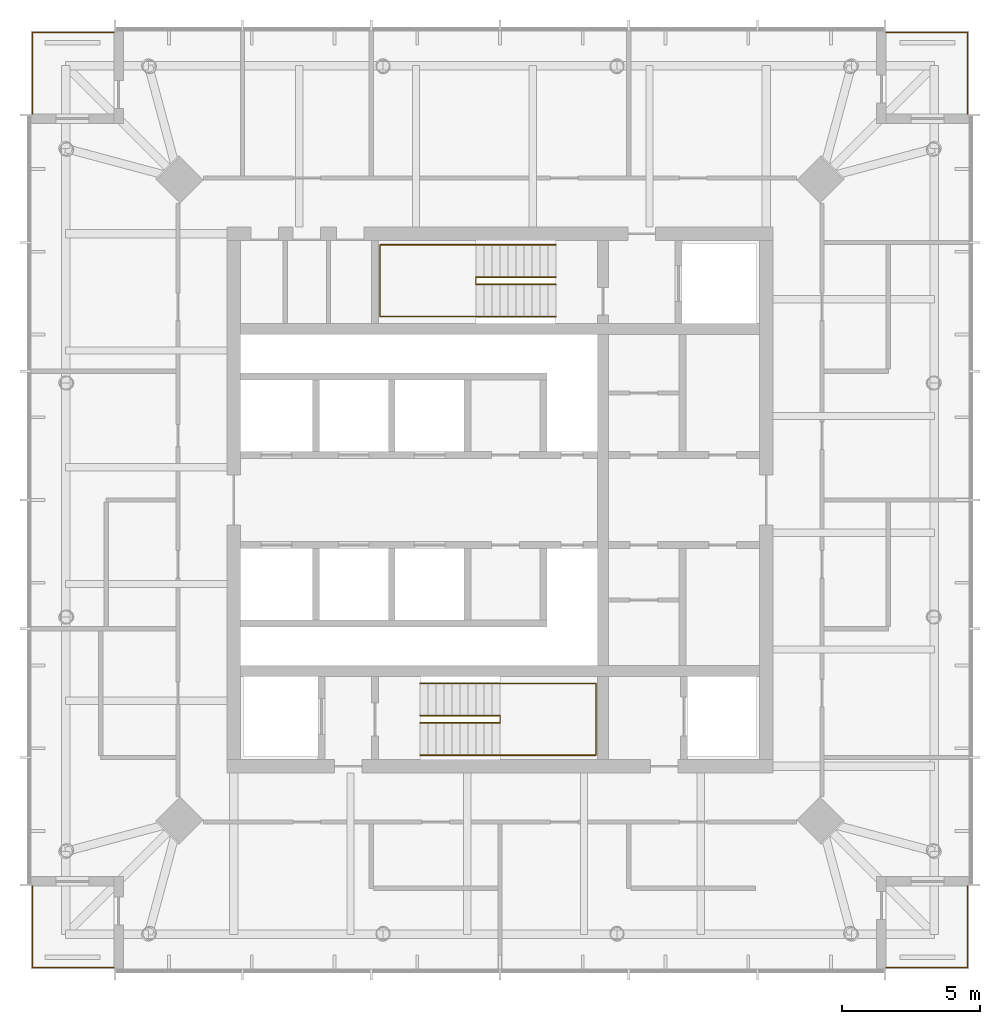
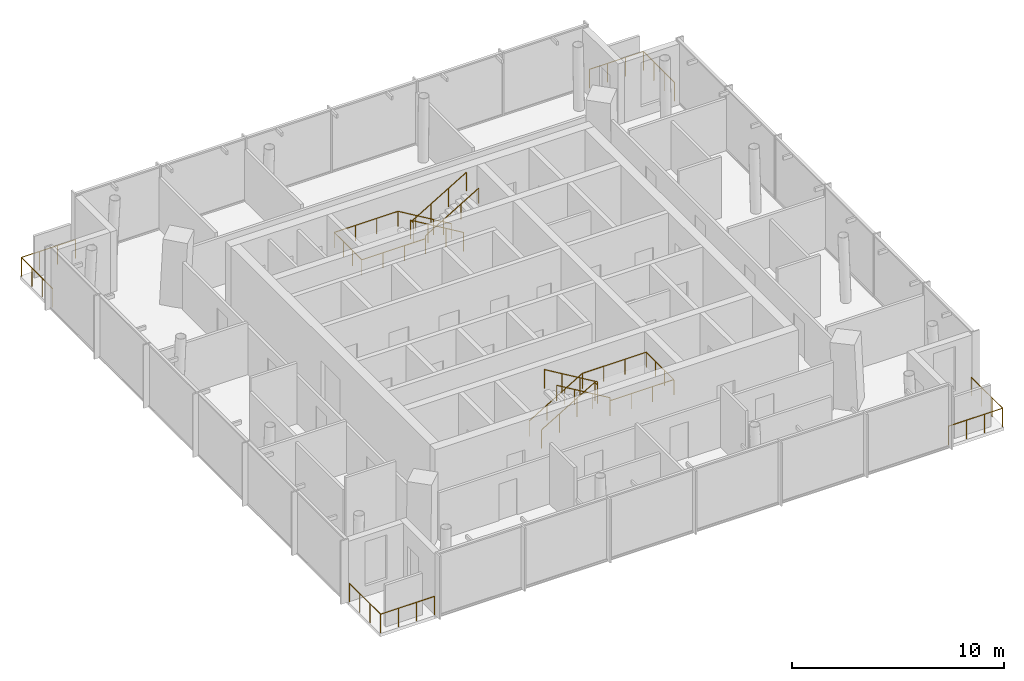
# One storey, part 7 of 7: 8 railings.
"""IFC4 building model written with IfcOpenShell, lengths in metres."""

from ifc_helpers import new_model, si_unit, direction, frame, origin, origin_2d, place, context, subcontext, project, spatial, circle, extrude, material, type_object, element, save


model = new_model("IFC4")

# Units and contexts
model_context = context("Model", 3, precision=1e-05, world=origin(), true_north=direction((0.0, 1.0)))
body_context = subcontext(model_context, "Body", "Model", "MODEL_VIEW")
ifc_project = project(units=[si_unit("LENGTHUNIT", "METRE"), si_unit("AREAUNIT", "SQUARE_METRE"), si_unit("VOLUMEUNIT", "CUBIC_METRE"), si_unit("PLANEANGLEUNIT", "RADIAN"), si_unit("MASSUNIT", "GRAM", prefix="KILO")], contexts=[model_context])

# Site, building, storey
site_placement = place(None, origin())
site = spatial("IfcSite", under=ifc_project, at=site_placement, CompositionType="ELEMENT")
building_placement = place(site_placement, origin())
building = spatial("IfcBuilding", under=site, at=building_placement, Name="Ostroluk Exchange", CompositionType="ELEMENT")
storey_placement = place(building_placement, frame((0.0, 0.0, 279.39990234375)))
storey = spatial("IfcBuildingStorey", under=building, at=storey_placement, Name="L72", CompositionType="ELEMENT", Elevation=279.39990234375)

# Railings
ifc_material_1 = material(Name="Stainless steel", Category="steel")
railing_type_1 = type_object("IfcRailingType", Name="Guard 1100 stainless steel", PredefinedType="GUARDRAIL", material=ifc_material_1)
railing_1_placement = place(storey_placement, frame((59.0, 29.050048828125, 0.0)))
element("IfcRailing", 1, at=railing_1_placement, inside=storey, type_object=railing_type_1, Name="Office tower SE balcony guard L72", PredefinedType="GUARDRAIL", context=body_context, shape_type="SweptSolid", body=[
    extrude(circle(Radius=0.02392578125, at=origin_2d()), frame((0.0, 0.0, 1.076171875), z_axis=(1.0, 0.0, 0.0), x_axis=(0.0, 1.0, 0.0)), (0.0, 0.0, 1.0), 2.949951171875),
    extrude(circle(Radius=0.02392578125, at=origin_2d()), frame((2.949951171875, 0.0, 1.076171875), z_axis=(0.0, 1.0, 0.0), x_axis=(-1.0, 0.0, 0.0)), (0.0, 0.0, 1.0), 2.949951171875),
    extrude(circle(Radius=0.02099609375, at=origin_2d()), origin(), (0.0, 0.0, 1.0), 1.052001953125),
    extrude(circle(Radius=0.02099609375, at=origin_2d()), frame((0.9833984375, 0.0, 0.0)), (0.0, 0.0, 1.0), 1.052001953125),
    extrude(circle(Radius=0.02099609375, at=origin_2d()), frame((1.966552734375, 0.0, 0.0)), (0.0, 0.0, 1.0), 1.052001953125),
    extrude(circle(Radius=0.02099609375, at=origin_2d()), frame((2.949951171875, 0.0, 0.0)), (0.0, 0.0, 1.0), 1.052001953125),
    extrude(circle(Radius=0.02099609375, at=origin_2d()), frame((2.949951171875, 0.9833984375, 0.0)), (0.0, 0.0, 1.0), 1.052001953125),
    extrude(circle(Radius=0.02099609375, at=origin_2d()), frame((2.949951171875, 1.966552734375, 0.0)), (0.0, 0.0, 1.0), 1.052001953125),
    extrude(circle(Radius=0.02099609375, at=origin_2d()), frame((2.949951171875, 2.949951171875, 0.0)), (0.0, 0.0, 1.0), 1.052001953125),
])
railing_2_placement = place(storey_placement, frame((59.0, 62.949951171875, 0.0)))
element("IfcRailing", 2, at=railing_2_placement, inside=storey, type_object=railing_type_1, Name="Office tower NE balcony guard L72", PredefinedType="GUARDRAIL", context=body_context, shape_type="SweptSolid", body=[
    extrude(circle(Radius=0.02392578125, at=origin_2d()), frame((0.0, 0.0, 1.076171875), z_axis=(1.0, 0.0, 0.0), x_axis=(0.0, 1.0, 0.0)), (0.0, 0.0, 1.0), 2.949951171875),
    extrude(circle(Radius=0.02392578125, at=origin_2d()), frame((2.949951171875, 0.0, 1.076171875), z_axis=(0.0, -1.0, 0.0), x_axis=(1.0, 0.0, 0.0)), (0.0, 0.0, 1.0), 2.949951171875),
    extrude(circle(Radius=0.02099609375, at=origin_2d()), origin(), (0.0, 0.0, 1.0), 1.052001953125),
    extrude(circle(Radius=0.02099609375, at=origin_2d()), frame((0.9833984375, 0.0, 0.0)), (0.0, 0.0, 1.0), 1.052001953125),
    extrude(circle(Radius=0.02099609375, at=origin_2d()), frame((1.966552734375, 0.0, 0.0)), (0.0, 0.0, 1.0), 1.052001953125),
    extrude(circle(Radius=0.02099609375, at=origin_2d()), frame((2.949951171875, 0.0, 0.0)), (0.0, 0.0, 1.0), 1.052001953125),
    extrude(circle(Radius=0.02099609375, at=origin_2d()), frame((2.949951171875, -0.9833984375, 0.0)), (0.0, 0.0, 1.0), 1.052001953125),
    extrude(circle(Radius=0.02099609375, at=origin_2d()), frame((2.949951171875, -1.966552734375, 0.0)), (0.0, 0.0, 1.0), 1.052001953125),
    extrude(circle(Radius=0.02099609375, at=origin_2d()), frame((2.949951171875, -2.949951171875, 0.0)), (0.0, 0.0, 1.0), 1.052001953125),
])
railing_3_placement = place(storey_placement, frame((31.0, 62.949951171875, 0.0)))
element("IfcRailing", 3, at=railing_3_placement, inside=storey, type_object=railing_type_1, Name="Office tower NW balcony guard L72", PredefinedType="GUARDRAIL", context=body_context, shape_type="SweptSolid", body=[
    extrude(circle(Radius=0.02392578125, at=origin_2d()), frame((0.0, 0.0, 1.076171875), z_axis=(-1.0, 0.0, 0.0), x_axis=(0.0, -1.0, 0.0)), (0.0, 0.0, 1.0), 2.949951171875),
    extrude(circle(Radius=0.02392578125, at=origin_2d()), frame((-2.949951171875, 0.0, 1.076171875), z_axis=(0.0, -1.0, 0.0), x_axis=(1.0, 0.0, 0.0)), (0.0, 0.0, 1.0), 2.949951171875),
    extrude(circle(Radius=0.02099609375, at=origin_2d()), origin(), (0.0, 0.0, 1.0), 1.052001953125),
    extrude(circle(Radius=0.02099609375, at=origin_2d()), frame((-0.9833984375, 0.0, 0.0)), (0.0, 0.0, 1.0), 1.052001953125),
    extrude(circle(Radius=0.02099609375, at=origin_2d()), frame((-1.966552734375, 0.0, 0.0)), (0.0, 0.0, 1.0), 1.052001953125),
    extrude(circle(Radius=0.02099609375, at=origin_2d()), frame((-2.949951171875, 0.0, 0.0)), (0.0, 0.0, 1.0), 1.052001953125),
    extrude(circle(Radius=0.02099609375, at=origin_2d()), frame((-2.949951171875, -0.9833984375, 0.0)), (0.0, 0.0, 1.0), 1.052001953125),
    extrude(circle(Radius=0.02099609375, at=origin_2d()), frame((-2.949951171875, -1.966552734375, 0.0)), (0.0, 0.0, 1.0), 1.052001953125),
    extrude(circle(Radius=0.02099609375, at=origin_2d()), frame((-2.949951171875, -2.949951171875, 0.0)), (0.0, 0.0, 1.0), 1.052001953125),
])
railing_4_placement = place(storey_placement, frame((31.0, 29.050048828125, 0.0)))
element("IfcRailing", 4, at=railing_4_placement, inside=storey, type_object=railing_type_1, Name="Office tower SW balcony guard L72", PredefinedType="GUARDRAIL", context=body_context, shape_type="SweptSolid", body=[
    extrude(circle(Radius=0.02392578125, at=origin_2d()), frame((0.0, 0.0, 1.076171875), z_axis=(-1.0, 0.0, 0.0), x_axis=(0.0, -1.0, 0.0)), (0.0, 0.0, 1.0), 2.949951171875),
    extrude(circle(Radius=0.02392578125, at=origin_2d()), frame((-2.949951171875, 0.0, 1.076171875), z_axis=(0.0, 1.0, 0.0), x_axis=(-1.0, 0.0, 0.0)), (0.0, 0.0, 1.0), 2.949951171875),
    extrude(circle(Radius=0.02099609375, at=origin_2d()), origin(), (0.0, 0.0, 1.0), 1.052001953125),
    extrude(circle(Radius=0.02099609375, at=origin_2d()), frame((-0.9833984375, 0.0, 0.0)), (0.0, 0.0, 1.0), 1.052001953125),
    extrude(circle(Radius=0.02099609375, at=origin_2d()), frame((-1.966552734375, 0.0, 0.0)), (0.0, 0.0, 1.0), 1.052001953125),
    extrude(circle(Radius=0.02099609375, at=origin_2d()), frame((-2.949951171875, 0.0, 0.0)), (0.0, 0.0, 1.0), 1.052001953125),
    extrude(circle(Radius=0.02099609375, at=origin_2d()), frame((-2.949951171875, 0.9833984375, 0.0)), (0.0, 0.0, 1.0), 1.052001953125),
    extrude(circle(Radius=0.02099609375, at=origin_2d()), frame((-2.949951171875, 1.966552734375, 0.0)), (0.0, 0.0, 1.0), 1.052001953125),
    extrude(circle(Radius=0.02099609375, at=origin_2d()), frame((-2.949951171875, 2.949951171875, 0.0)), (0.0, 0.0, 1.0), 1.052001953125),
])
ifc_material_2 = material(Name="Steel S355", Category="steel")
railing_type_2 = type_object("IfcRailingType", Name="Stair guard 1100", PredefinedType="GUARDRAIL", material=ifc_material_2)
railing_5_placement = place(storey_placement, frame((42.10009765625, 38.179931640625, 0.1728515625)))
element("IfcRailing", 5, at=railing_5_placement, inside=storey, type_object=railing_type_2, Name="Stair T1-S1 guard L72", PredefinedType="GUARDRAIL", context=body_context, shape_type="SweptSolid", body=[
    extrude(circle(Radius=0.02392578125, at=origin_2d()), frame((0.0, 0.0, 1.076171875), z_axis=(0.859141464434, 0.0, 0.511738159696), x_axis=(0.0, 1.0, 0.0)), (0.0, 0.0, 1.0), 3.375244140625),
    extrude(circle(Radius=0.02392578125, at=origin_2d()), frame((2.89990234375, 0.0, 2.80322265625), z_axis=(0.0, -1.0, 0.0), x_axis=(1.0, 0.0, 0.0)), (0.0, 0.0, 1.0), 0.260009765625),
    extrude(circle(Radius=0.02392578125, at=origin_2d()), frame((2.89990234375, -0.260009765625, 2.80322265625), z_axis=(0.0, 0.0, 1.0), x_axis=(1.0, 0.0, 0.0)), (0.0, 0.0, 1.0), 0.172607421875),
    extrude(circle(Radius=0.02392578125, at=origin_2d()), frame((2.89990234375, -0.260009765625, 2.97607421875), z_axis=(-0.859141464434, 0.0, 0.511738159696), x_axis=(0.0, -1.0, 0.0)), (0.0, 0.0, 1.0), 3.375244140625),
    extrude(circle(Radius=0.02099609375, at=origin_2d()), origin(), (0.0, 0.0, 1.0), 1.052001953125),
    extrude(circle(Radius=0.02099609375, at=origin_2d()), frame((0.966552734375, 0.0, 0.57568359375)), (0.0, 0.0, 1.0), 1.052001953125),
    extrude(circle(Radius=0.02099609375, at=origin_2d()), frame((1.933349609375, 0.0, 1.151611328125)), (0.0, 0.0, 1.0), 1.052001953125),
    extrude(circle(Radius=0.02099609375, at=origin_2d()), frame((2.89990234375, 0.0, 1.727294921875)), (0.0, 0.0, 1.0), 1.052001953125),
    extrude(circle(Radius=0.02099609375, at=origin_2d()), frame((2.89990234375, -0.260009765625, 1.727294921875)), (0.0, 0.0, 1.0), 1.052001953125),
    extrude(circle(Radius=0.02099609375, at=origin_2d()), frame((2.89990234375, -0.260009765625, 1.89990234375)), (0.0, 0.0, 1.0), 1.052001953125),
    extrude(circle(Radius=0.02099609375, at=origin_2d()), frame((1.933349609375, -0.260009765625, 2.4755859375)), (0.0, 0.0, 1.0), 1.052001953125),
    extrude(circle(Radius=0.02099609375, at=origin_2d()), frame((0.966552734375, -0.260009765625, 3.051513671875)), (0.0, 0.0, 1.0), 1.052001953125),
    extrude(circle(Radius=0.02099609375, at=origin_2d()), frame((0.0, -0.260009765625, 3.627197265625)), (0.0, 0.0, 1.0), 1.052001953125),
])
railing_6_placement = place(storey_placement, frame((47.030029296875, 54.080078125, 0.1728515625)))
element("IfcRailing", 6, at=railing_6_placement, inside=storey, type_object=railing_type_2, Name="Stair T1-S2 guard L72", PredefinedType="GUARDRAIL", context=body_context, shape_type="SweptSolid", body=[
    extrude(circle(Radius=0.02392578125, at=origin_2d()), frame((0.0, 0.0, 1.076171875), z_axis=(-0.859160404282, 0.0, 0.51170636083), x_axis=(0.0, -1.0, 0.0)), (0.0, 0.0, 1.0), 3.37548828125),
    extrude(circle(Radius=0.02392578125, at=origin_2d()), frame((-2.900146484375, 0.0, 2.80322265625), z_axis=(0.0, -1.0, 0.0), x_axis=(1.0, 0.0, 0.0)), (0.0, 0.0, 1.0), 0.260009765625),
    extrude(circle(Radius=0.02392578125, at=origin_2d()), frame((-2.900146484375, -0.260009765625, 2.80322265625), z_axis=(0.0, 0.0, 1.0), x_axis=(1.0, 0.0, 0.0)), (0.0, 0.0, 1.0), 0.172607421875),
    extrude(circle(Radius=0.02392578125, at=origin_2d()), frame((-2.900146484375, -0.260009765625, 2.97607421875), z_axis=(0.859160404282, 0.0, 0.51170636083), x_axis=(0.0, 1.0, 0.0)), (0.0, 0.0, 1.0), 3.37548828125),
    extrude(circle(Radius=0.02099609375, at=origin_2d()), origin(), (0.0, 0.0, 1.0), 1.052001953125),
    extrude(circle(Radius=0.02099609375, at=origin_2d()), frame((-0.966796875, 0.0, 0.57568359375)), (0.0, 0.0, 1.0), 1.052001953125),
    extrude(circle(Radius=0.02099609375, at=origin_2d()), frame((-1.933349609375, 0.0, 1.151611328125)), (0.0, 0.0, 1.0), 1.052001953125),
    extrude(circle(Radius=0.02099609375, at=origin_2d()), frame((-2.900146484375, 0.0, 1.727294921875)), (0.0, 0.0, 1.0), 1.052001953125),
    extrude(circle(Radius=0.02099609375, at=origin_2d()), frame((-2.900146484375, -0.260009765625, 1.727294921875)), (0.0, 0.0, 1.0), 1.052001953125),
    extrude(circle(Radius=0.02099609375, at=origin_2d()), frame((-2.900146484375, -0.260009765625, 1.89990234375)), (0.0, 0.0, 1.0), 1.052001953125),
    extrude(circle(Radius=0.02099609375, at=origin_2d()), frame((-1.933349609375, -0.260009765625, 2.4755859375)), (0.0, 0.0, 1.0), 1.052001953125),
    extrude(circle(Radius=0.02099609375, at=origin_2d()), frame((-0.966796875, -0.260009765625, 3.051513671875)), (0.0, 0.0, 1.0), 1.052001953125),
    extrude(circle(Radius=0.02099609375, at=origin_2d()), frame((0.0, -0.260009765625, 3.627197265625)), (0.0, 0.0, 1.0), 1.052001953125),
])
ifc_material_3 = material(Name="Stainless steel", Category="steel")
railing_type_3 = type_object("IfcRailingType", Name="Stair handrail 900", PredefinedType="HANDRAIL", material=ifc_material_3)
railing_7_placement = place(storey_placement, frame((42.10009765625, 39.35009765625, 0.1728515625)))
element("IfcRailing", 7, at=railing_7_placement, inside=storey, type_object=railing_type_3, Name="Stair T1-S1 handrail L72", PredefinedType="HANDRAIL", context=body_context, shape_type="SweptSolid", body=[
    extrude(circle(Radius=0.02392578125, at=origin_2d()), frame((0.0, 0.0, 0.8759765625), z_axis=(0.859141464434, 0.0, 0.511738159696), x_axis=(0.0, 1.0, 0.0)), (0.0, 0.0, 1.0), 3.375244140625),
    extrude(circle(Radius=0.02392578125, at=origin_2d()), frame((2.89990234375, 0.0, 2.60302734375), z_axis=(1.0, 0.0, 0.0), x_axis=(0.0, 1.0, 0.0)), (0.0, 0.0, 1.0), 3.47998046875),
    extrude(circle(Radius=0.02392578125, at=origin_2d()), frame((6.3798828125, 0.0, 2.60302734375), z_axis=(0.0, -1.0, 0.0), x_axis=(1.0, 0.0, 0.0)), (0.0, 0.0, 1.0), 2.60009765625),
    extrude(circle(Radius=0.02392578125, at=origin_2d()), frame((6.3798828125, -2.60009765625, 2.60302734375), z_axis=(-1.0, 0.0, 0.0), x_axis=(0.0, -1.0, 0.0)), (0.0, 0.0, 1.0), 3.47998046875),
    extrude(circle(Radius=0.02392578125, at=origin_2d()), frame((2.89990234375, -2.60009765625, 2.60302734375), z_axis=(0.0, 0.0, 1.0), x_axis=(1.0, 0.0, 0.0)), (0.0, 0.0, 1.0), 0.172607421875),
    extrude(circle(Radius=0.02392578125, at=origin_2d()), frame((2.89990234375, -2.60009765625, 2.77587890625), z_axis=(-0.859141464434, 0.0, 0.511738159696), x_axis=(0.0, -1.0, 0.0)), (0.0, 0.0, 1.0), 3.375244140625),
    extrude(circle(Radius=0.02099609375, at=origin_2d()), origin(), (0.0, 0.0, 1.0), 0.851806640625),
    extrude(circle(Radius=0.02099609375, at=origin_2d()), frame((0.966552734375, 0.0, 0.57568359375)), (0.0, 0.0, 1.0), 0.851806640625),
    extrude(circle(Radius=0.02099609375, at=origin_2d()), frame((1.933349609375, 0.0, 1.151611328125)), (0.0, 0.0, 1.0), 0.851806640625),
    extrude(circle(Radius=0.02099609375, at=origin_2d()), frame((2.89990234375, 0.0, 1.727294921875)), (0.0, 0.0, 1.0), 0.851806640625),
    extrude(circle(Radius=0.02099609375, at=origin_2d()), frame((4.059814453125, 0.0, 1.727294921875)), (0.0, 0.0, 1.0), 0.851806640625),
    extrude(circle(Radius=0.02099609375, at=origin_2d()), frame((5.219970703125, 0.0, 1.727294921875)), (0.0, 0.0, 1.0), 0.851806640625),
    extrude(circle(Radius=0.02099609375, at=origin_2d()), frame((6.3798828125, 0.0, 1.727294921875)), (0.0, 0.0, 1.0), 0.851806640625),
    extrude(circle(Radius=0.02099609375, at=origin_2d()), frame((6.3798828125, -0.86669921875, 1.727294921875)), (0.0, 0.0, 1.0), 0.851806640625),
    extrude(circle(Radius=0.02099609375, at=origin_2d()), frame((6.3798828125, -1.7333984375, 1.727294921875)), (0.0, 0.0, 1.0), 0.851806640625),
    extrude(circle(Radius=0.02099609375, at=origin_2d()), frame((6.3798828125, -2.60009765625, 1.727294921875)), (0.0, 0.0, 1.0), 0.851806640625),
    extrude(circle(Radius=0.02099609375, at=origin_2d()), frame((5.219970703125, -2.60009765625, 1.727294921875)), (0.0, 0.0, 1.0), 0.851806640625),
    extrude(circle(Radius=0.02099609375, at=origin_2d()), frame((4.059814453125, -2.60009765625, 1.727294921875)), (0.0, 0.0, 1.0), 0.851806640625),
    extrude(circle(Radius=0.02099609375, at=origin_2d()), frame((2.89990234375, -2.60009765625, 1.727294921875)), (0.0, 0.0, 1.0), 0.851806640625),
    extrude(circle(Radius=0.02099609375, at=origin_2d()), frame((2.89990234375, -2.60009765625, 1.89990234375)), (0.0, 0.0, 1.0), 0.851806640625),
    extrude(circle(Radius=0.02099609375, at=origin_2d()), frame((1.933349609375, -2.60009765625, 2.4755859375)), (0.0, 0.0, 1.0), 0.851806640625),
    extrude(circle(Radius=0.02099609375, at=origin_2d()), frame((0.966552734375, -2.60009765625, 3.051513671875)), (0.0, 0.0, 1.0), 0.851806640625),
    extrude(circle(Radius=0.02099609375, at=origin_2d()), frame((0.0, -2.60009765625, 3.627197265625)), (0.0, 0.0, 1.0), 0.851806640625),
])
railing_8_placement = place(storey_placement, frame((47.030029296875, 55.25, 0.1728515625)))
element("IfcRailing", 8, at=railing_8_placement, inside=storey, type_object=railing_type_3, Name="Stair T1-S2 handrail L72", PredefinedType="HANDRAIL", context=body_context, shape_type="SweptSolid", body=[
    extrude(circle(Radius=0.02392578125, at=origin_2d()), frame((0.0, 0.0, 0.8759765625), z_axis=(-0.859160404282, 0.0, 0.51170636083), x_axis=(0.0, -1.0, 0.0)), (0.0, 0.0, 1.0), 3.37548828125),
    extrude(circle(Radius=0.02392578125, at=origin_2d()), frame((-2.900146484375, 0.0, 2.60302734375), z_axis=(-1.0, 0.0, 0.0), x_axis=(0.0, -1.0, 0.0)), (0.0, 0.0, 1.0), 3.47998046875),
    extrude(circle(Radius=0.02392578125, at=origin_2d()), frame((-6.380126953125, 0.0, 2.60302734375), z_axis=(0.0, -1.0, 0.0), x_axis=(1.0, 0.0, 0.0)), (0.0, 0.0, 1.0), 2.60009765625),
    extrude(circle(Radius=0.02392578125, at=origin_2d()), frame((-6.380126953125, -2.60009765625, 2.60302734375), z_axis=(1.0, 0.0, 0.0), x_axis=(0.0, 1.0, 0.0)), (0.0, 0.0, 1.0), 3.47998046875),
    extrude(circle(Radius=0.02392578125, at=origin_2d()), frame((-2.900146484375, -2.60009765625, 2.60302734375), z_axis=(0.0, 0.0, 1.0), x_axis=(1.0, 0.0, 0.0)), (0.0, 0.0, 1.0), 0.172607421875),
    extrude(circle(Radius=0.02392578125, at=origin_2d()), frame((-2.900146484375, -2.60009765625, 2.77587890625), z_axis=(0.859160404282, 0.0, 0.51170636083), x_axis=(0.0, 1.0, 0.0)), (0.0, 0.0, 1.0), 3.37548828125),
    extrude(circle(Radius=0.02099609375, at=origin_2d()), origin(), (0.0, 0.0, 1.0), 0.851806640625),
    extrude(circle(Radius=0.02099609375, at=origin_2d()), frame((-0.966796875, 0.0, 0.57568359375)), (0.0, 0.0, 1.0), 0.851806640625),
    extrude(circle(Radius=0.02099609375, at=origin_2d()), frame((-1.933349609375, 0.0, 1.151611328125)), (0.0, 0.0, 1.0), 0.851806640625),
    extrude(circle(Radius=0.02099609375, at=origin_2d()), frame((-2.900146484375, 0.0, 1.727294921875)), (0.0, 0.0, 1.0), 0.851806640625),
    extrude(circle(Radius=0.02099609375, at=origin_2d()), frame((-4.06005859375, 0.0, 1.727294921875)), (0.0, 0.0, 1.0), 0.851806640625),
    extrude(circle(Radius=0.02099609375, at=origin_2d()), frame((-5.22021484375, 0.0, 1.727294921875)), (0.0, 0.0, 1.0), 0.851806640625),
    extrude(circle(Radius=0.02099609375, at=origin_2d()), frame((-6.380126953125, 0.0, 1.727294921875)), (0.0, 0.0, 1.0), 0.851806640625),
    extrude(circle(Radius=0.02099609375, at=origin_2d()), frame((-6.380126953125, -0.86669921875, 1.727294921875)), (0.0, 0.0, 1.0), 0.851806640625),
    extrude(circle(Radius=0.02099609375, at=origin_2d()), frame((-6.380126953125, -1.7333984375, 1.727294921875)), (0.0, 0.0, 1.0), 0.851806640625),
    extrude(circle(Radius=0.02099609375, at=origin_2d()), frame((-6.380126953125, -2.60009765625, 1.727294921875)), (0.0, 0.0, 1.0), 0.851806640625),
    extrude(circle(Radius=0.02099609375, at=origin_2d()), frame((-5.22021484375, -2.60009765625, 1.727294921875)), (0.0, 0.0, 1.0), 0.851806640625),
    extrude(circle(Radius=0.02099609375, at=origin_2d()), frame((-4.06005859375, -2.60009765625, 1.727294921875)), (0.0, 0.0, 1.0), 0.851806640625),
    extrude(circle(Radius=0.02099609375, at=origin_2d()), frame((-2.900146484375, -2.60009765625, 1.727294921875)), (0.0, 0.0, 1.0), 0.851806640625),
    extrude(circle(Radius=0.02099609375, at=origin_2d()), frame((-2.900146484375, -2.60009765625, 1.89990234375)), (0.0, 0.0, 1.0), 0.851806640625),
    extrude(circle(Radius=0.02099609375, at=origin_2d()), frame((-1.933349609375, -2.60009765625, 2.4755859375)), (0.0, 0.0, 1.0), 0.851806640625),
    extrude(circle(Radius=0.02099609375, at=origin_2d()), frame((-0.966796875, -2.60009765625, 3.051513671875)), (0.0, 0.0, 1.0), 0.851806640625),
    extrude(circle(Radius=0.02099609375, at=origin_2d()), frame((0.0, -2.60009765625, 3.627197265625)), (0.0, 0.0, 1.0), 0.851806640625),
])

save(model, "model.ifc")
